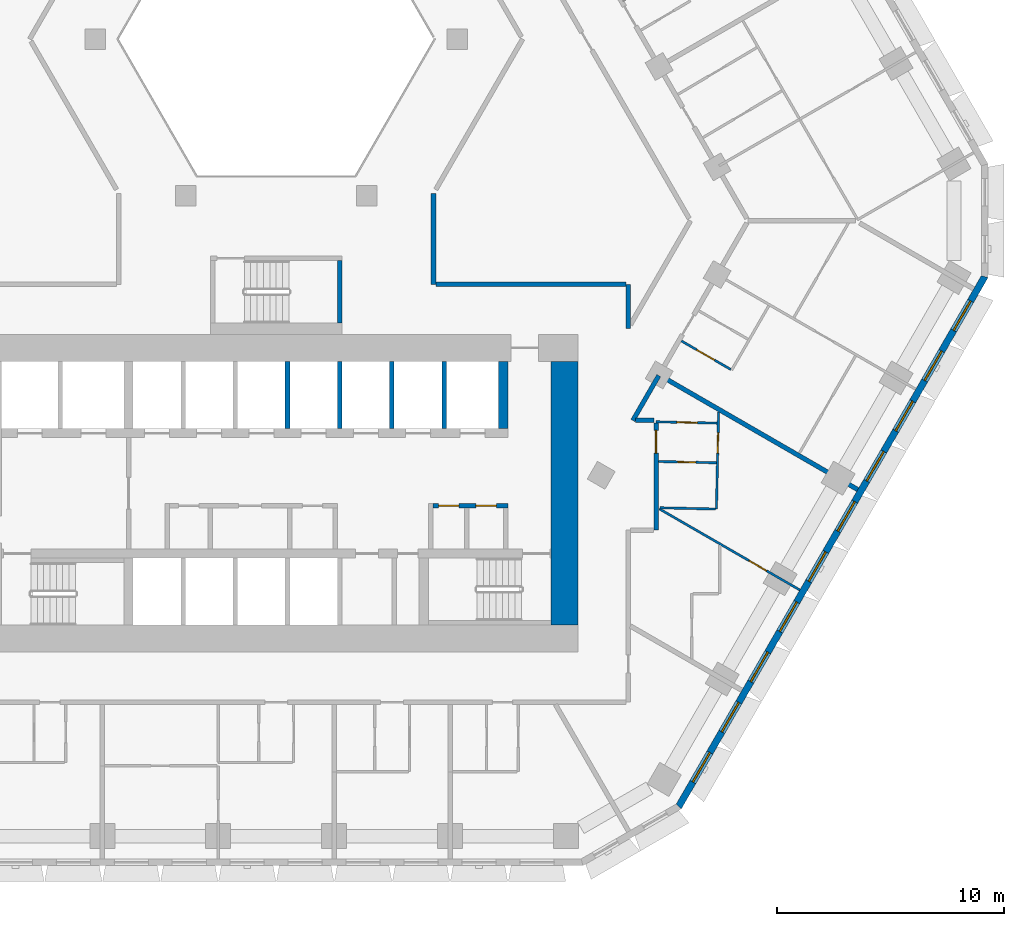
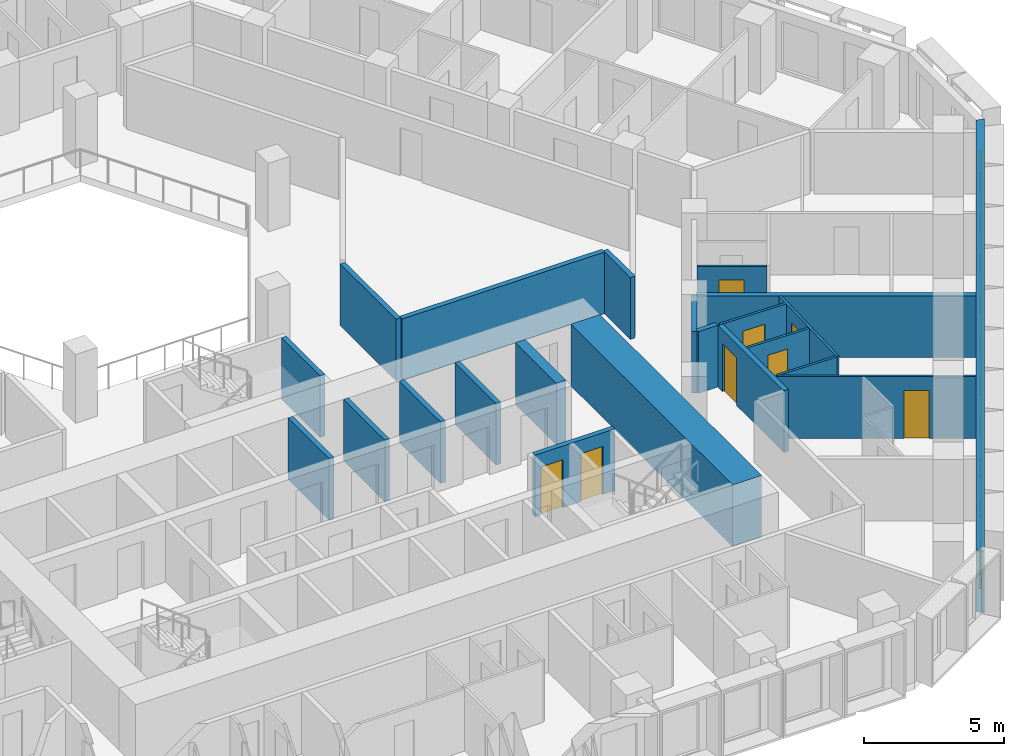
# One storey, part 7 of 21: 22 walls, 10 windows, 8 doors, 18 openings.
"""IFC4 building model written with IfcOpenShell, lengths in metres."""

from ifc_helpers import new_model, si_unit, direction, frame, frame_2d, origin, place, context, subcontext, project, spatial, polyline, rectangle, outline, extrude, material, layer, layer_set, type_object, element, fill, save


model = new_model("IFC4")

# Units and contexts
model_context = context("Model", 3, precision=1e-05, world=origin(), true_north=direction((0.0, 1.0)))
body_context = subcontext(model_context, "Body", "Model", "MODEL_VIEW")
ifc_project = project(units=[si_unit("LENGTHUNIT", "METRE"), si_unit("AREAUNIT", "SQUARE_METRE"), si_unit("VOLUMEUNIT", "CUBIC_METRE"), si_unit("PLANEANGLEUNIT", "RADIAN"), si_unit("MASSUNIT", "GRAM", prefix="KILO")], contexts=[model_context])

# Site, building, storey
site_placement = place(None, origin())
site = spatial("IfcSite", under=ifc_project, at=site_placement, CompositionType="ELEMENT")
building_placement = place(site_placement, origin())
building = spatial("IfcBuilding", under=site, at=building_placement, Name="Beryl Residences", CompositionType="ELEMENT")
storey_placement = place(building_placement, frame((0.0, 0.0, 35.39990234375)))
storey = spatial("IfcBuildingStorey", under=building, at=storey_placement, Name="L10", CompositionType="ELEMENT", Elevation=35.39990234375)

# Wall, openings, windows
ifc_material_1 = material(Name="Composite metal panel with mineral wool insulation")
ifc_layer_1 = layer(ifc_material_1, 0.300048828125)
ifc_layer_set_1 = layer_set([ifc_layer_1], Name="ES1 pale metal composite panel wall 300 mm")
wall_type_1 = type_object("IfcWallType", Name="ES1 pale metal composite panel wall 300 mm", PredefinedType="SOLIDWALL", material=ifc_layer_set_1)
wall_1_placement = place(storey_placement, frame((17.7099609375, -25.824951171875, 0.0), z_axis=(0.0, 0.0, 1.0), x_axis=(0.500001938803, 0.866024284413, 0.0)))
wall_1 = element("IfcWall", 1, at=wall_1_placement, inside=storey, type_object=wall_type_1, Name="ES1 external wall L10 SE", PredefinedType="SOLIDWALL", context=body_context, shape_type="SweptSolid", body=[
    extrude(outline(polyline([(0.0, -0.14990234375), (27.02001953125, -0.14990234375), (26.939697265625, 0.14990234375), (0.080322265625, 0.14990234375), (0.0, -0.14990234375)])), origin(), (0.0, 0.0, 1.0), 2.7001953125),
])
opening_1_placement = place(wall_1_placement, frame((1.277099609375, 0.0, 0.14990234375)))
opening_1 = element("IfcOpeningElement", 2, at=opening_1_placement, cuts=wall_1, Name="Opening W1", PredefinedType="OPENING", context=body_context, shape_type="SweptSolid", body=[
    extrude(rectangle(XDim=1.5, YDim=2.10009765625, at=frame_2d((0.75, 1.050048828125))), frame((0.0, 0.159912109375, 0.0), z_axis=(0.0, -1.0, 0.0), x_axis=(1.0, 0.0, 0.0)), (0.0, 0.0, 1.0), 0.320068359375),
])
opening_2_placement = place(wall_1_placement, frame((3.8291015625, 0.0, 0.14990234375)))
opening_2 = element("IfcOpeningElement", 3, at=opening_2_placement, cuts=wall_1, Name="Opening W1", PredefinedType="OPENING", context=body_context, shape_type="SweptSolid", body=[
    extrude(rectangle(XDim=1.5, YDim=2.10009765625, at=frame_2d((0.75, 1.050048828125))), frame((0.0, 0.159912109375, 0.0), z_axis=(0.0, -1.0, 0.0), x_axis=(1.0, 0.0, 0.0)), (0.0, 0.0, 1.0), 0.320068359375),
])
opening_3_placement = place(wall_1_placement, frame((6.382080078125, 0.0, 0.14990234375)))
opening_3 = element("IfcOpeningElement", 4, at=opening_3_placement, cuts=wall_1, Name="Opening W1", PredefinedType="OPENING", context=body_context, shape_type="SweptSolid", body=[
    extrude(rectangle(XDim=1.5, YDim=2.10009765625, at=frame_2d((0.75, 1.050048828125))), frame((0.0, 0.159912109375, 0.0), z_axis=(0.0, -1.0, 0.0), x_axis=(1.0, 0.0, 0.0)), (0.0, 0.0, 1.0), 0.320068359375),
])
opening_4_placement = place(wall_1_placement, frame((8.93310546875, 0.0, 0.14990234375)))
opening_4 = element("IfcOpeningElement", 5, at=opening_4_placement, cuts=wall_1, Name="Opening W1", PredefinedType="OPENING", context=body_context, shape_type="SweptSolid", body=[
    extrude(rectangle(XDim=1.5, YDim=2.10009765625, at=frame_2d((0.75, 1.050048828125))), frame((0.0, 0.159912109375, 0.0), z_axis=(0.0, -1.0, 0.0), x_axis=(1.0, 0.0, 0.0)), (0.0, 0.0, 1.0), 0.320068359375),
])
opening_5_placement = place(wall_1_placement, frame((11.485107421875, 0.0, 0.14990234375)))
opening_5 = element("IfcOpeningElement", 6, at=opening_5_placement, cuts=wall_1, Name="Opening W1", PredefinedType="OPENING", context=body_context, shape_type="SweptSolid", body=[
    extrude(rectangle(XDim=1.5, YDim=2.10009765625, at=frame_2d((0.75, 1.050048828125))), frame((0.0, 0.159912109375, 0.0), z_axis=(0.0, -1.0, 0.0), x_axis=(1.0, 0.0, 0.0)), (0.0, 0.0, 1.0), 0.320068359375),
])
opening_6_placement = place(wall_1_placement, frame((14.037109375, 0.0, 0.14990234375)))
opening_6 = element("IfcOpeningElement", 7, at=opening_6_placement, cuts=wall_1, Name="Opening W1", PredefinedType="OPENING", context=body_context, shape_type="SweptSolid", body=[
    extrude(rectangle(XDim=1.5, YDim=2.10009765625, at=frame_2d((0.75, 1.050048828125))), frame((0.0, 0.159912109375, 0.0), z_axis=(0.0, -1.0, 0.0), x_axis=(1.0, 0.0, 0.0)), (0.0, 0.0, 1.0), 0.320068359375),
])
opening_7_placement = place(wall_1_placement, frame((16.589111328125, 0.0, 0.14990234375)))
opening_7 = element("IfcOpeningElement", 8, at=opening_7_placement, cuts=wall_1, Name="Opening W1", PredefinedType="OPENING", context=body_context, shape_type="SweptSolid", body=[
    extrude(rectangle(XDim=1.5, YDim=2.10009765625, at=frame_2d((0.75, 1.050048828125))), frame((0.0, 0.159912109375, 0.0), z_axis=(0.0, -1.0, 0.0), x_axis=(1.0, 0.0, 0.0)), (0.0, 0.0, 1.0), 0.320068359375),
])
opening_8_placement = place(wall_1_placement, frame((19.14111328125, 0.0, 0.14990234375)))
opening_8 = element("IfcOpeningElement", 9, at=opening_8_placement, cuts=wall_1, Name="Opening W1", PredefinedType="OPENING", context=body_context, shape_type="SweptSolid", body=[
    extrude(rectangle(XDim=1.5, YDim=2.10009765625, at=frame_2d((0.75, 1.050048828125))), frame((0.0, 0.159912109375, 0.0), z_axis=(0.0, -1.0, 0.0), x_axis=(1.0, 0.0, 0.0)), (0.0, 0.0, 1.0), 0.320068359375),
])
opening_9_placement = place(wall_1_placement, frame((21.693115234375, 0.0, 0.14990234375)))
opening_9 = element("IfcOpeningElement", 10, at=opening_9_placement, cuts=wall_1, Name="Opening W1", PredefinedType="OPENING", context=body_context, shape_type="SweptSolid", body=[
    extrude(rectangle(XDim=1.5, YDim=2.10009765625, at=frame_2d((0.75, 1.050048828125))), frame((0.0, 0.159912109375, 0.0), z_axis=(0.0, -1.0, 0.0), x_axis=(1.0, 0.0, 0.0)), (0.0, 0.0, 1.0), 0.320068359375),
])
opening_10_placement = place(wall_1_placement, frame((24.243896484375, 0.0, 0.14990234375)))
opening_10 = element("IfcOpeningElement", 11, at=opening_10_placement, cuts=wall_1, Name="Opening W1", PredefinedType="OPENING", context=body_context, shape_type="SweptSolid", body=[
    extrude(rectangle(XDim=1.5, YDim=2.10009765625, at=frame_2d((0.75, 1.050048828125))), frame((0.0, 0.159912109375, 0.0), z_axis=(0.0, -1.0, 0.0), x_axis=(1.0, 0.0, 0.0)), (0.0, 0.0, 1.0), 0.320068359375),
])
ifc_material_2 = material(Name="Aluminium and clear glass", Category="aluminium")
window_type = type_object("IfcWindowType", Name="W1 cell window 1500 x 2100 mm", PartitioningType="SINGLE_PANEL", PredefinedType="WINDOW", material=ifc_material_2)
window_1_placement = place(opening_1_placement, origin())
window_1 = element("IfcWindow", 12, at=window_1_placement, inside=storey, type_object=window_type, Name="W1 window L10 SE 1", OverallHeight=2.10009765625, OverallWidth=1.5, PartitioningType="SINGLE_PANEL", PredefinedType="WINDOW", context=body_context, shape_type="SweptSolid", body=[
    extrude(rectangle(XDim=1.5, YDim=2.10009765625, at=frame_2d((0.75, 1.050048828125))), frame((0.0, 0.030029296875, 0.0), z_axis=(0.0, -1.0, 0.0), x_axis=(1.0, 0.0, 0.0)), (0.0, 0.0, 1.0), 0.06005859375),
])
fill(opening_1, window_1)
window_2_placement = place(opening_2_placement, origin())
window_2 = element("IfcWindow", 13, at=window_2_placement, inside=storey, type_object=window_type, Name="W1 window L10 SE 2", OverallHeight=2.10009765625, OverallWidth=1.5, PartitioningType="SINGLE_PANEL", PredefinedType="WINDOW", context=body_context, shape_type="SweptSolid", body=[
    extrude(rectangle(XDim=1.5, YDim=2.10009765625, at=frame_2d((0.75, 1.050048828125))), frame((0.0, 0.030029296875, 0.0), z_axis=(0.0, -1.0, 0.0), x_axis=(1.0, 0.0, 0.0)), (0.0, 0.0, 1.0), 0.06005859375),
])
fill(opening_2, window_2)
window_3_placement = place(opening_3_placement, origin())
window_3 = element("IfcWindow", 14, at=window_3_placement, inside=storey, type_object=window_type, Name="W1 window L10 SE 3", OverallHeight=2.10009765625, OverallWidth=1.5, PartitioningType="SINGLE_PANEL", PredefinedType="WINDOW", context=body_context, shape_type="SweptSolid", body=[
    extrude(rectangle(XDim=1.5, YDim=2.10009765625, at=frame_2d((0.75, 1.050048828125))), frame((0.0, 0.030029296875, 0.0), z_axis=(0.0, -1.0, 0.0), x_axis=(1.0, 0.0, 0.0)), (0.0, 0.0, 1.0), 0.06005859375),
])
fill(opening_3, window_3)
window_4_placement = place(opening_4_placement, origin())
window_4 = element("IfcWindow", 15, at=window_4_placement, inside=storey, type_object=window_type, Name="W1 window L10 SE 4", OverallHeight=2.10009765625, OverallWidth=1.5, PartitioningType="SINGLE_PANEL", PredefinedType="WINDOW", context=body_context, shape_type="SweptSolid", body=[
    extrude(rectangle(XDim=1.5, YDim=2.10009765625, at=frame_2d((0.75, 1.050048828125))), frame((0.0, 0.030029296875, 0.0), z_axis=(0.0, -1.0, 0.0), x_axis=(1.0, 0.0, 0.0)), (0.0, 0.0, 1.0), 0.06005859375),
])
fill(opening_4, window_4)
window_5_placement = place(opening_5_placement, origin())
window_5 = element("IfcWindow", 16, at=window_5_placement, inside=storey, type_object=window_type, Name="W1 window L10 SE 5", OverallHeight=2.10009765625, OverallWidth=1.5, PartitioningType="SINGLE_PANEL", PredefinedType="WINDOW", context=body_context, shape_type="SweptSolid", body=[
    extrude(rectangle(XDim=1.5, YDim=2.10009765625, at=frame_2d((0.75, 1.050048828125))), frame((0.0, 0.030029296875, 0.0), z_axis=(0.0, -1.0, 0.0), x_axis=(1.0, 0.0, 0.0)), (0.0, 0.0, 1.0), 0.06005859375),
])
fill(opening_5, window_5)
window_6_placement = place(opening_6_placement, origin())
window_6 = element("IfcWindow", 17, at=window_6_placement, inside=storey, type_object=window_type, Name="W1 window L10 SE 6", OverallHeight=2.10009765625, OverallWidth=1.5, PartitioningType="SINGLE_PANEL", PredefinedType="WINDOW", context=body_context, shape_type="SweptSolid", body=[
    extrude(rectangle(XDim=1.5, YDim=2.10009765625, at=frame_2d((0.75, 1.050048828125))), frame((0.0, 0.030029296875, 0.0), z_axis=(0.0, -1.0, 0.0), x_axis=(1.0, 0.0, 0.0)), (0.0, 0.0, 1.0), 0.06005859375),
])
fill(opening_6, window_6)
window_7_placement = place(opening_7_placement, origin())
window_7 = element("IfcWindow", 18, at=window_7_placement, inside=storey, type_object=window_type, Name="W1 window L10 SE 7", OverallHeight=2.10009765625, OverallWidth=1.5, PartitioningType="SINGLE_PANEL", PredefinedType="WINDOW", context=body_context, shape_type="SweptSolid", body=[
    extrude(rectangle(XDim=1.5, YDim=2.10009765625, at=frame_2d((0.75, 1.050048828125))), frame((0.0, 0.030029296875, 0.0), z_axis=(0.0, -1.0, 0.0), x_axis=(1.0, 0.0, 0.0)), (0.0, 0.0, 1.0), 0.06005859375),
])
fill(opening_7, window_7)
window_8_placement = place(opening_8_placement, origin())
window_8 = element("IfcWindow", 19, at=window_8_placement, inside=storey, type_object=window_type, Name="W1 window L10 SE 8", OverallHeight=2.10009765625, OverallWidth=1.5, PartitioningType="SINGLE_PANEL", PredefinedType="WINDOW", context=body_context, shape_type="SweptSolid", body=[
    extrude(rectangle(XDim=1.5, YDim=2.10009765625, at=frame_2d((0.75, 1.050048828125))), frame((0.0, 0.030029296875, 0.0), z_axis=(0.0, -1.0, 0.0), x_axis=(1.0, 0.0, 0.0)), (0.0, 0.0, 1.0), 0.06005859375),
])
fill(opening_8, window_8)
window_9_placement = place(opening_9_placement, origin())
window_9 = element("IfcWindow", 20, at=window_9_placement, inside=storey, type_object=window_type, Name="W1 window L10 SE 9", OverallHeight=2.10009765625, OverallWidth=1.5, PartitioningType="SINGLE_PANEL", PredefinedType="WINDOW", context=body_context, shape_type="SweptSolid", body=[
    extrude(rectangle(XDim=1.5, YDim=2.10009765625, at=frame_2d((0.75, 1.050048828125))), frame((0.0, 0.030029296875, 0.0), z_axis=(0.0, -1.0, 0.0), x_axis=(1.0, 0.0, 0.0)), (0.0, 0.0, 1.0), 0.06005859375),
])
fill(opening_9, window_9)
window_10_placement = place(opening_10_placement, origin())
window_10 = element("IfcWindow", 21, at=window_10_placement, inside=storey, type_object=window_type, Name="W1 window L10 SE 10", OverallHeight=2.10009765625, OverallWidth=1.5, PartitioningType="SINGLE_PANEL", PredefinedType="WINDOW", context=body_context, shape_type="SweptSolid", body=[
    extrude(rectangle(XDim=1.5, YDim=2.10009765625, at=frame_2d((0.75, 1.050048828125))), frame((0.0, 0.030029296875, 0.0), z_axis=(0.0, -1.0, 0.0), x_axis=(1.0, 0.0, 0.0)), (0.0, 0.0, 1.0), 0.06005859375),
])
fill(opening_10, window_10)

# Wall, opening, door
ifc_material_3 = material(Name="Gypsum board partition on steel studs", Category="steel")
ifc_layer_2 = layer(ifc_material_3, 0.10009765625)
ifc_layer_set_2 = layer_set([ifc_layer_2], Name="PT1 partition 100 mm gypsum board on steel studs")
wall_type_2 = type_object("IfcWallType", Name="PT1 partition 100 mm gypsum board on steel studs", PredefinedType="PARTITIONING", material=ifc_layer_set_2)
wall_2_placement = place(storey_placement, frame((16.72802734375, -8.85302734375, 0.0), z_axis=(0.0, 0.0, 1.0), x_axis=(0.999759401479, -0.02193488442, 0.0)))
wall_2 = element("IfcWall", 22, at=wall_2_placement, inside=storey, type_object=wall_type_2, Name="Wall PT1 L10 011", PredefinedType="PARTITIONING", context=body_context, shape_type="SweptSolid", body=[
    extrude(rectangle(XDim=2.693603515625, YDim=0.10009765625, at=frame_2d((1.3466796875, 0.0))), origin(), (0.0, 0.0, 1.0), 2.7001953125),
])
opening_11_placement = place(wall_2_placement, frame((0.922119140625, 0.0, 0.0)))
opening_11 = element("IfcOpeningElement", 23, at=opening_11_placement, cuts=wall_2, Name="Opening D0117", PredefinedType="OPENING", context=body_context, shape_type="SweptSolid", body=[
    extrude(rectangle(XDim=0.89990234375, YDim=2.10009765625, at=frame_2d((0.449951171875, 1.050048828125))), frame((0.0, 0.06005859375, 0.0), z_axis=(0.0, -1.0, 0.0), x_axis=(1.0, 0.0, 0.0)), (0.0, 0.0, 1.0), 0.1201171875),
])
ifc_material_4 = material(Name="Timber door leaf", Category="wood")
door_type_1 = type_object("IfcDoorType", Name="D2 room door 900 x 2100 mm", OperationType="SINGLE_SWING_LEFT", PredefinedType="DOOR", material=ifc_material_4)
door_1_placement = place(opening_11_placement, origin())
door_1 = element("IfcDoor", 24, at=door_1_placement, inside=storey, type_object=door_type_1, Name="Door D0117 L10 001", OperationType="SINGLE_SWING_LEFT", OverallHeight=2.10009765625, OverallWidth=0.89990234375, PredefinedType="DOOR", context=body_context, shape_type="SweptSolid", body=[
    extrude(rectangle(XDim=0.89990234375, YDim=2.10009765625, at=frame_2d((0.449951171875, 1.050048828125))), frame((0.0, 0.02490234375, 0.0), z_axis=(0.0, -1.0, 0.0), x_axis=(1.0, 0.0, 0.0)), (0.0, 0.0, 1.0), 0.050048828125),
])
fill(opening_11, door_1)

wall_3_placement = place(storey_placement, frame((16.827880859375, -10.60107421875, 0.0), z_axis=(0.0, 0.0, 1.0), x_axis=(0.999752091799, -0.022265555094, 0.0)))
wall_3 = element("IfcWall", 25, at=wall_3_placement, inside=storey, type_object=wall_type_2, Name="Wall PT1 L10 012", PredefinedType="PARTITIONING", context=body_context, shape_type="SweptSolid", body=[
    extrude(rectangle(XDim=2.554931640625, YDim=0.10009765625, at=frame_2d((1.27734375, 0.0))), origin(), (0.0, 0.0, 1.0), 2.7001953125),
])
opening_12_placement = place(wall_3_placement, frame((0.85302734375, 0.0, 0.0)))
opening_12 = element("IfcOpeningElement", 26, at=opening_12_placement, cuts=wall_3, Name="Opening D0118", PredefinedType="OPENING", context=body_context, shape_type="SweptSolid", body=[
    extrude(rectangle(XDim=0.800048828125, YDim=2.10009765625, at=frame_2d((0.39990234375, 1.050048828125))), frame((0.0, 0.06005859375, 0.0), z_axis=(0.0, -1.0, 0.0), x_axis=(1.0, 0.0, 0.0)), (0.0, 0.0, 1.0), 0.1201171875),
])
ifc_material_5 = material(Name="Timber door leaf", Category="wood")
door_type_2 = type_object("IfcDoorType", Name="D3 bathroom door 800 x 2100 mm", OperationType="SINGLE_SWING_LEFT", PredefinedType="DOOR", material=ifc_material_5)
door_2_placement = place(opening_12_placement, origin())
door_2 = element("IfcDoor", 27, at=door_2_placement, inside=storey, type_object=door_type_2, Name="Door D0118 L10 001", OperationType="SINGLE_SWING_RIGHT", OverallHeight=2.10009765625, OverallWidth=0.800048828125, PredefinedType="DOOR", context=body_context, shape_type="SweptSolid", body=[
    extrude(rectangle(XDim=0.800048828125, YDim=2.10009765625, at=frame_2d((0.39990234375, 1.050048828125))), frame((0.0, 0.02490234375, 0.0), z_axis=(0.0, -1.0, 0.0), x_axis=(1.0, 0.0, 0.0)), (0.0, 0.0, 1.0), 0.050048828125),
])
fill(opening_12, door_2)

# Wall
wall_4_placement = place(storey_placement, frame((16.89208984375, -12.639892578125, 0.0), z_axis=(0.0, 0.0, 1.0), x_axis=(0.999754359069, -0.022163517846, 0.0)))
element("IfcWall", 28, at=wall_4_placement, inside=storey, type_object=wall_type_2, Name="Wall PT1 L10 013", PredefinedType="PARTITIONING", context=body_context, shape_type="SweptSolid", body=[
    extrude(rectangle(XDim=2.4453125, YDim=0.10009765625, at=frame_2d((1.22265625, 0.0))), origin(), (0.0, 0.0, 1.0), 2.7001953125),
])

# Wall, opening, door
wall_5_placement = place(storey_placement, frame((16.8701171875, -12.68603515625, 0.0), z_axis=(0.0, 0.0, 1.0), x_axis=(0.866071826058, -0.499919585642, 0.0)))
wall_5 = element("IfcWall", 29, at=wall_5_placement, inside=storey, type_object=wall_type_2, Name="Wall PT1 L10 016", PredefinedType="PARTITIONING", context=body_context, shape_type="SweptSolid", body=[
    extrude(rectangle(XDim=7.147216796875, YDim=0.10009765625, at=frame_2d((3.57373046875, 0.0))), origin(), (0.0, 0.0, 1.0), 2.7001953125),
])
opening_13_placement = place(wall_5_placement, frame((4.55810546875, 0.0, 0.0)))
opening_13 = element("IfcOpeningElement", 30, at=opening_13_placement, cuts=wall_5, Name="Opening D0120", PredefinedType="OPENING", context=body_context, shape_type="SweptSolid", body=[
    extrude(rectangle(XDim=0.89990234375, YDim=2.10009765625, at=frame_2d((0.449951171875, 1.050048828125))), frame((0.0, 0.06005859375, 0.0), z_axis=(0.0, -1.0, 0.0), x_axis=(1.0, 0.0, 0.0)), (0.0, 0.0, 1.0), 0.1201171875),
])
door_3_placement = place(opening_13_placement, origin())
door_3 = element("IfcDoor", 31, at=door_3_placement, inside=storey, type_object=door_type_1, Name="Door D0120 L10 001", OperationType="SINGLE_SWING_RIGHT", OverallHeight=2.10009765625, OverallWidth=0.89990234375, PredefinedType="DOOR", context=body_context, shape_type="SweptSolid", body=[
    extrude(rectangle(XDim=0.89990234375, YDim=2.10009765625, at=frame_2d((0.449951171875, 1.050048828125))), frame((0.0, 0.02490234375, 0.0), z_axis=(0.0, -1.0, 0.0), x_axis=(1.0, 0.0, 0.0)), (0.0, 0.0, 1.0), 0.050048828125),
])
fill(opening_13, door_3)

wall_6_placement = place(storey_placement, frame((17.843994140625, -5.2919921875, 0.0), z_axis=(0.0, 0.0, 1.0), x_axis=(0.865940918122, -0.500146304917, 0.0)))
wall_6 = element("IfcWall", 32, at=wall_6_placement, inside=storey, type_object=wall_type_2, Name="Wall PT1 L10 018", PredefinedType="PARTITIONING", context=body_context, shape_type="SweptSolid", body=[
    extrude(rectangle(XDim=2.509521484375, YDim=0.10009765625, at=frame_2d((1.2548828125, 0.0))), origin(), (0.0, 0.0, 1.0), 2.7001953125),
])
opening_14_placement = place(wall_6_placement, frame((0.780029296875, 0.0, 0.0)))
opening_14 = element("IfcOpeningElement", 33, at=opening_14_placement, cuts=wall_6, Name="Opening D0123", PredefinedType="OPENING", context=body_context, shape_type="SweptSolid", body=[
    extrude(rectangle(XDim=0.89990234375, YDim=2.10009765625, at=frame_2d((0.449951171875, 1.050048828125))), frame((0.0, 0.06005859375, 0.0), z_axis=(0.0, -1.0, 0.0), x_axis=(1.0, 0.0, 0.0)), (0.0, 0.0, 1.0), 0.1201171875),
])
door_4_placement = place(opening_14_placement, origin())
door_4 = element("IfcDoor", 34, at=door_4_placement, inside=storey, type_object=door_type_1, Name="Door D0123 L10 001", OperationType="SINGLE_SWING_LEFT", OverallHeight=2.10009765625, OverallWidth=0.89990234375, PredefinedType="DOOR", context=body_context, shape_type="SweptSolid", body=[
    extrude(rectangle(XDim=0.89990234375, YDim=2.10009765625, at=frame_2d((0.449951171875, 1.050048828125))), frame((0.0, 0.02490234375, 0.0), z_axis=(0.0, -1.0, 0.0), x_axis=(1.0, 0.0, 0.0)), (0.0, 0.0, 1.0), 0.050048828125),
])
fill(opening_14, door_4)

wall_7_placement = place(storey_placement, frame((19.386962890625, -12.695068359375, 0.0), z_axis=(0.0, 0.0, 1.0), x_axis=(0.022188864436, 0.99975379684, 0.0)))
wall_7 = element("IfcWall", 35, at=wall_7_placement, inside=storey, type_object=wall_type_2, Name="Wall PT1 L10 041", PredefinedType="PARTITIONING", context=body_context, shape_type="SweptSolid", body=[
    extrude(rectangle(XDim=4.280029296875, YDim=0.10009765625, at=frame_2d((2.14013671875, 0.0))), origin(), (0.0, 0.0, 1.0), 2.7001953125),
])
opening_15_placement = place(wall_7_placement, frame((2.4599609375, 0.0, 0.0)))
opening_15 = element("IfcOpeningElement", 36, at=opening_15_placement, cuts=wall_7, Name="Opening D0119", PredefinedType="OPENING", context=body_context, shape_type="SweptSolid", body=[
    extrude(rectangle(XDim=0.89990234375, YDim=2.10009765625, at=frame_2d((0.449951171875, 1.050048828125))), frame((0.0, 0.06005859375, 0.0), z_axis=(0.0, -1.0, 0.0), x_axis=(1.0, 0.0, 0.0)), (0.0, 0.0, 1.0), 0.1201171875),
])
door_5_placement = place(opening_15_placement, origin())
door_5 = element("IfcDoor", 37, at=door_5_placement, inside=storey, type_object=door_type_1, Name="Door D0119 L10 001", OperationType="SINGLE_SWING_LEFT", OverallHeight=2.10009765625, OverallWidth=0.89990234375, PredefinedType="DOOR", context=body_context, shape_type="SweptSolid", body=[
    extrude(rectangle(XDim=0.89990234375, YDim=2.10009765625, at=frame_2d((0.449951171875, 1.050048828125))), frame((0.0, 0.02490234375, 0.0), z_axis=(0.0, -1.0, 0.0), x_axis=(1.0, 0.0, 0.0)), (0.0, 0.0, 1.0), 0.050048828125),
])
fill(opening_15, door_5)

# Wall, openings, doors
ifc_material_6 = material(Name="Concrete masonry", Category="masonry")
ifc_layer_3 = layer(ifc_material_6, 0.199951171875)
ifc_layer_set_3 = layer_set([ifc_layer_3], Name="PT13 lobby wall 200 mm")
wall_type_3 = type_object("IfcWallType", Name="PT13 lobby wall 200 mm", PredefinedType="PARTITIONING", material=ifc_layer_set_3)
wall_8_placement = place(storey_placement, frame((6.89990234375, -12.550048828125, 0.0), z_axis=(0.0, 0.0, 1.0), x_axis=(1.0, 0.0, 0.0)))
wall_8 = element("IfcWall", 38, at=wall_8_placement, inside=storey, type_object=wall_type_3, Name="Lobby wall 24", PredefinedType="PARTITIONING", context=body_context, shape_type="SweptSolid", body=[
    extrude(rectangle(XDim=3.300048828125, YDim=0.199951171875, at=frame_2d((1.64990234375, 0.0))), origin(), (0.0, 0.0, 1.0), 2.7001953125),
])
opening_16_placement = place(wall_8_placement, frame((1.14990234375, 0.0, 0.0), z_axis=(0.0, 0.0, 1.0), x_axis=(-1.0, 0.0, 0.0)))
opening_16 = element("IfcOpeningElement", 39, at=opening_16_placement, cuts=wall_8, Name="Opening CD-D-A4-900", PredefinedType="OPENING", context=body_context, shape_type="SweptSolid", body=[
    extrude(rectangle(XDim=0.89990234375, YDim=2.10009765625, at=frame_2d((0.449951171875, 1.050048828125))), frame((0.0, 0.10986328125, 0.0), z_axis=(0.0, -1.0, 0.0), x_axis=(1.0, 0.0, 0.0)), (0.0, 0.0, 1.0), 0.219970703125),
])
opening_17_placement = place(wall_8_placement, frame((2.7998046875, 0.0, 0.0), z_axis=(0.0, 0.0, 1.0), x_axis=(-1.0, 0.0, 0.0)))
opening_17 = element("IfcOpeningElement", 40, at=opening_17_placement, cuts=wall_8, Name="Opening CD-D-A5-900", PredefinedType="OPENING", context=body_context, shape_type="SweptSolid", body=[
    extrude(rectangle(XDim=0.89990234375, YDim=2.10009765625, at=frame_2d((0.449951171875, 1.050048828125))), frame((0.0, 0.10986328125, 0.0), z_axis=(0.0, -1.0, 0.0), x_axis=(1.0, 0.0, 0.0)), (0.0, 0.0, 1.0), 0.219970703125),
])
ifc_material_7 = material(Name="Steel door leaf in steel frame", Category="steel")
door_type_3 = type_object("IfcDoorType", Name="D6 service room door 900 x 2100 mm", OperationType="SINGLE_SWING_LEFT", PredefinedType="DOOR", material=ifc_material_7)
door_6_placement = place(opening_16_placement, origin())
door_6 = element("IfcDoor", 41, at=door_6_placement, inside=storey, type_object=door_type_3, Name="Door CD-D-A4-900 L10 001", OperationType="SINGLE_SWING_LEFT", OverallHeight=2.10009765625, OverallWidth=0.89990234375, PredefinedType="DOOR", context=body_context, shape_type="SweptSolid", body=[
    extrude(rectangle(XDim=0.89990234375, YDim=2.10009765625, at=frame_2d((0.449951171875, 1.050048828125))), frame((0.0, 0.02490234375, 0.0), z_axis=(0.0, -1.0, 0.0), x_axis=(1.0, 0.0, 0.0)), (0.0, 0.0, 1.0), 0.050048828125),
])
fill(opening_16, door_6)
door_7_placement = place(opening_17_placement, origin())
door_7 = element("IfcDoor", 42, at=door_7_placement, inside=storey, type_object=door_type_3, Name="Door CD-D-A5-900 L10 001", OperationType="SINGLE_SWING_RIGHT", OverallHeight=2.10009765625, OverallWidth=0.89990234375, PredefinedType="DOOR", context=body_context, shape_type="SweptSolid", body=[
    extrude(rectangle(XDim=0.89990234375, YDim=2.10009765625, at=frame_2d((0.449951171875, 1.050048828125))), frame((0.0, 0.02490234375, 0.0), z_axis=(0.0, -1.0, 0.0), x_axis=(1.0, 0.0, 0.0)), (0.0, 0.0, 1.0), 0.050048828125),
])
fill(opening_17, door_7)

# Walls
ifc_material_8 = material(Name="Acoustic double stud gypsum board wall")
ifc_layer_4 = layer(ifc_material_8, 0.199951171875)
ifc_layer_set_4 = layer_set([ifc_layer_4], Name="PT3 party wall 200 mm acoustic double stud")
wall_type_4 = type_object("IfcWallType", Name="PT3 party wall 200 mm acoustic double stud", PredefinedType="PARTITIONING", material=ifc_layer_set_4)
wall_9_placement = place(storey_placement, frame((16.916015625, -6.819091796875, 0.0), z_axis=(0.0, 0.0, 1.0), x_axis=(0.866028876723, -0.499993984646, 0.0)))
element("IfcWall", 43, at=wall_9_placement, inside=storey, type_object=wall_type_4, Name="Wall PT3 L10 012", PredefinedType="PARTITIONING", context=body_context, shape_type="SweptSolid", body=[
    extrude(rectangle(XDim=10.0400390625, YDim=0.199951171875, at=frame_2d((5.02001953125, 0.0))), origin(), (0.0, 0.0, 1.0), 2.7001953125),
])
ifc_material_9 = material(Name="Double stud gypsum board wall")
ifc_layer_5 = layer(ifc_material_9, 0.199951171875)
ifc_layer_set_5 = layer_set([ifc_layer_5], Name="PT4 corridor wall 200 mm double stud")
wall_type_5 = type_object("IfcWallType", Name="PT4 corridor wall 200 mm double stud", PredefinedType="PARTITIONING", material=ifc_layer_set_5)
wall_10_placement = place(storey_placement, frame((15.822021484375, -8.7939453125, 0.0), z_axis=(0.0, 0.0, 1.0), x_axis=(1.0, 0.0, 0.0)))
element("IfcWall", 44, at=wall_10_placement, inside=storey, type_object=wall_type_5, Name="Wall PT4 L10 009", PredefinedType="PARTITIONING", context=body_context, shape_type="SweptSolid", body=[
    extrude(rectangle(XDim=0.805908203125, YDim=0.199951171875, at=frame_2d((0.40283203125, 0.0))), origin(), (0.0, 0.0, 1.0), 2.7001953125),
])
wall_11_placement = place(storey_placement, frame((7.028076171875, -2.800048828125, 0.0), z_axis=(0.0, 0.0, 1.0), x_axis=(1.0, 0.0, 0.0)))
element("IfcWall", 45, at=wall_11_placement, inside=storey, type_object=wall_type_5, Name="Wall PT4 L10 014", PredefinedType="PARTITIONING", context=body_context, shape_type="SweptSolid", body=[
    extrude(rectangle(XDim=8.371826171875, YDim=0.199951171875, at=frame_2d((4.18603515625, 0.0))), origin(), (0.0, 0.0, 1.0), 2.7001953125),
])
wall_12_placement = place(storey_placement, frame((15.70703125, -8.7939453125, 0.0), z_axis=(0.0, 0.0, 1.0), x_axis=(0.500040469623, 0.866002037376, 0.0)))
element("IfcWall", 46, at=wall_12_placement, inside=storey, type_object=wall_type_5, Name="Wall PT4 L10 020", PredefinedType="PARTITIONING", context=body_context, shape_type="SweptSolid", body=[
    extrude(rectangle(XDim=2.281494140625, YDim=0.199951171875, at=frame_2d((1.140625, 0.0))), origin(), (0.0, 0.0, 1.0), 2.7001953125),
])
wall_13_placement = place(storey_placement, frame((6.927978515625, -2.800048828125, 0.0), z_axis=(0.0, 0.0, 1.0), x_axis=(0.0, 1.0, 0.0)))
element("IfcWall", 47, at=wall_13_placement, inside=storey, type_object=wall_type_5, Name="Wall PT4 L10 025", PredefinedType="PARTITIONING", context=body_context, shape_type="SweptSolid", body=[
    extrude(rectangle(XDim=4.0, YDim=0.199951171875, at=frame_2d((2.0, 0.0))), origin(), (0.0, 0.0, 1.0), 2.7001953125),
])
wall_14_placement = place(storey_placement, frame((15.5, -4.751953125, 0.0), z_axis=(0.0, 0.0, 1.0), x_axis=(0.0, 1.0, 0.0)))
element("IfcWall", 48, at=wall_14_placement, inside=storey, type_object=wall_type_5, Name="Wall PT4 L10 027", PredefinedType="PARTITIONING", context=body_context, shape_type="SweptSolid", body=[
    extrude(rectangle(XDim=1.951904296875, YDim=0.199951171875, at=frame_2d((0.97607421875, 0.0))), origin(), (0.0, 0.0, 1.0), 2.7001953125),
])

# Wall, opening, door
wall_15_placement = place(storey_placement, frame((16.72802734375, -13.623046875, 0.0), z_axis=(0.0, 0.0, 1.0), x_axis=(0.0, 1.0, 0.0)))
wall_15 = element("IfcWall", 49, at=wall_15_placement, inside=storey, type_object=wall_type_5, Name="Wall PT4 L10 028", PredefinedType="PARTITIONING", context=body_context, shape_type="SweptSolid", body=[
    extrude(rectangle(XDim=4.719970703125, YDim=0.199951171875, at=frame_2d((2.35986328125, 0.0))), origin(), (0.0, 0.0, 1.0), 2.7001953125),
])
opening_18_placement = place(wall_15_placement, frame((3.39599609375, 0.0, 0.0)))
opening_18 = element("IfcOpeningElement", 50, at=opening_18_placement, cuts=wall_15, Name="Opening D0116", PredefinedType="OPENING", context=body_context, shape_type="SweptSolid", body=[
    extrude(rectangle(XDim=1.0, YDim=2.10009765625, at=frame_2d((0.5, 1.050048828125))), frame((0.0, 0.10986328125, 0.0), z_axis=(0.0, -1.0, 0.0), x_axis=(1.0, 0.0, 0.0)), (0.0, 0.0, 1.0), 0.219970703125),
])
ifc_material_10 = material(Name="Timber door leaf", Category="wood")
door_type_4 = type_object("IfcDoorType", Name="D1 flat entrance door 1000 x 2100 mm", OperationType="SINGLE_SWING_LEFT", PredefinedType="DOOR", material=ifc_material_10)
door_8_placement = place(opening_18_placement, origin())
door_8 = element("IfcDoor", 51, at=door_8_placement, inside=storey, type_object=door_type_4, Name="Door D0116 L10 001", OperationType="SINGLE_SWING_RIGHT", OverallHeight=2.10009765625, OverallWidth=1.0, PredefinedType="DOOR", context=body_context, shape_type="SweptSolid", body=[
    extrude(rectangle(XDim=1.0, YDim=2.10009765625, at=frame_2d((0.5, 1.050048828125))), frame((0.0, 0.02490234375, 0.0), z_axis=(0.0, -1.0, 0.0), x_axis=(1.0, 0.0, 0.0)), (0.0, 0.0, 1.0), 0.050048828125),
])
fill(opening_18, door_8)

# Walls
ifc_material_11 = material(Name="Concrete C40/50", Category="concrete")
ifc_layer_6 = layer(ifc_material_11, 0.199951171875)
ifc_layer_set_6 = layer_set([ifc_layer_6], Name="PT5 stair enclosure wall 200 mm reinforced concrete C40/50")
wall_type_6 = type_object("IfcWallType", Name="PT5 stair enclosure wall 200 mm reinforced concrete C40/50", PredefinedType="SOLIDWALL", material=ifc_layer_set_6)
wall_16_placement = place(storey_placement, frame((2.800048828125, -4.5, 0.0), z_axis=(0.0, 0.0, 1.0), x_axis=(0.0, 1.0, 0.0)))
element("IfcWall", 52, at=wall_16_placement, inside=storey, type_object=wall_type_6, Name="Wall PT5 L10 003", PredefinedType="SOLIDWALL", context=body_context, shape_type="SweptSolid", body=[
    extrude(rectangle(XDim=2.75, YDim=0.199951171875, at=frame_2d((1.375, 0.0))), origin(), (0.0, 0.0, 1.0), 2.7001953125),
])
ifc_material_12 = material(Name="Concrete C40/50", Category="concrete")
ifc_layer_7 = layer(ifc_material_12, 0.199951171875)
ifc_layer_set_7 = layer_set([ifc_layer_7], Name="PT6 lift shaft wall 200 mm reinforced concrete C40/50")
wall_type_7 = type_object("IfcWallType", Name="PT6 lift shaft wall 200 mm reinforced concrete C40/50", PredefinedType="SOLIDWALL", material=ifc_layer_set_7)
for number, where, z_axis, x_axis, name in (
    (53, (0.5, -9.14990234375, 0.0), (0.0, 0.0, 1.0), (0.0, 1.0, 0.0), "Lift shaft wall 15"),
    (54, (2.800048828125, -9.14990234375, 0.0), (0.0, 0.0, 1.0), (0.0, 1.0, 0.0), "Lift shaft wall 19"),
    (55, (5.10009765625, -9.14990234375, 0.0), (0.0, 0.0, 1.0), (0.0, 1.0, 0.0), "Lift shaft wall 20"),
    (56, (7.39990234375, -9.14990234375, 0.0), (0.0, 0.0, 1.0), (0.0, 1.0, 0.0), "Lift shaft wall 25"),
):
    element("IfcWall", number, at=place(storey_placement, frame(where, z_axis=z_axis, x_axis=x_axis)), inside=storey, type_object=wall_type_7, Name=name, PredefinedType="SOLIDWALL", context=body_context, shape_type="SweptSolid", body=[
        extrude(rectangle(XDim=2.949951171875, YDim=0.199951171875, at=frame_2d((1.47509765625, 0.0))), origin(), (0.0, 0.0, 1.0), 2.7001953125),
    ])
ifc_material_13 = material(Name="Concrete C80/95", Category="concrete")
ifc_layer_8 = layer(ifc_material_13, 1.199951171875)
ifc_layer_set_8 = layer_set([ifc_layer_8], Name="SW1 core outer wall 1200 mm C80/95")
wall_type_8 = type_object("IfcWallType", Name="SW1 core outer wall 1200 mm C80/95", PredefinedType="SHEAR", material=ifc_layer_set_8)
wall_17_placement = place(storey_placement, frame((12.699951171875, -17.800048828125, 0.0), z_axis=(0.0, 0.0, 1.0), x_axis=(0.0, 1.0, 0.0)))
element("IfcWall", 57, at=wall_17_placement, inside=storey, type_object=wall_type_8, Name="Core wall E L10", PredefinedType="SHEAR", context=body_context, shape_type="SweptSolid", body=[
    extrude(rectangle(XDim=11.60009765625, YDim=1.199951171875, at=frame_2d((5.800048828125, 0.0))), origin(), (0.0, 0.0, 1.0), 2.7001953125),
])
ifc_material_14 = material(Name="Concrete C80/95", Category="concrete")
ifc_layer_9 = layer(ifc_material_14, 0.39990234375)
ifc_layer_set_9 = layer_set([ifc_layer_9], Name="SW6 core internal wall 400 mm C80/95")
wall_type_9 = type_object("IfcWallType", Name="SW6 core internal wall 400 mm C80/95", PredefinedType="SHEAR", material=ifc_layer_set_9)
wall_18_placement = place(storey_placement, frame((10.0, -9.14990234375, 0.0), z_axis=(0.0, 0.0, 1.0), x_axis=(0.0, 1.0, 0.0)))
element("IfcWall", 58, at=wall_18_placement, inside=storey, type_object=wall_type_9, Name="Core wall XN2 L10", PredefinedType="SHEAR", context=body_context, shape_type="SweptSolid", body=[
    extrude(rectangle(XDim=2.949951171875, YDim=0.39990234375, at=frame_2d((1.47509765625, 0.0))), origin(), (0.0, 0.0, 1.0), 2.7001953125),
])

save(model, "model.ifc")
